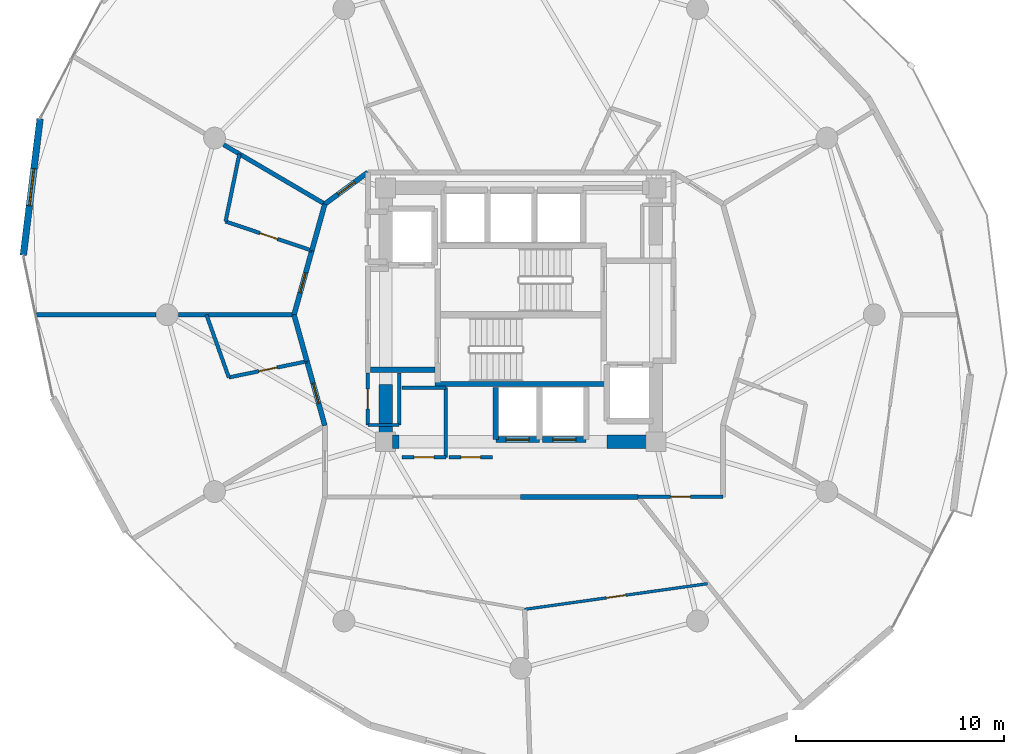
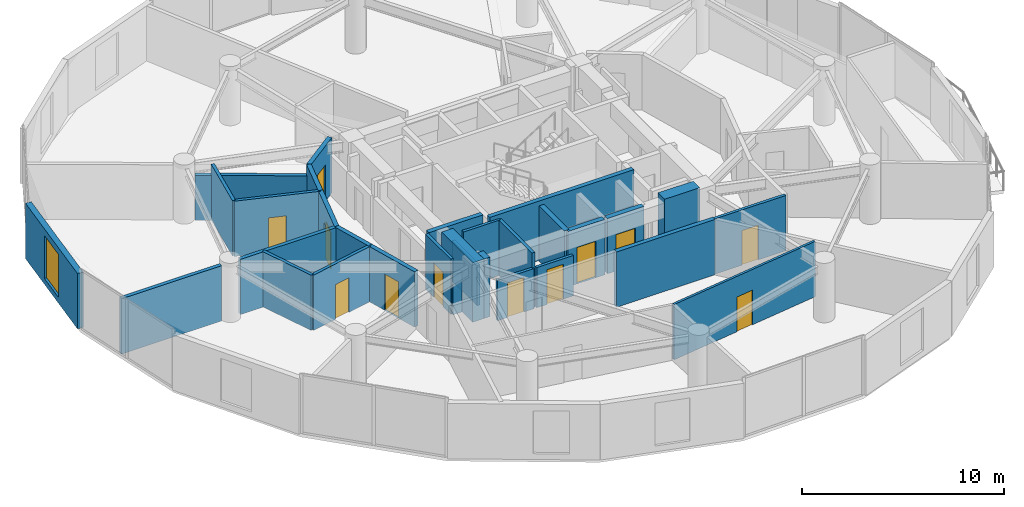
# One storey, part 20 of 25: 31 walls, 12 doors, 1 window, 13 openings.
"""IFC4 building model written with IfcOpenShell, lengths in metres."""

from ifc_helpers import new_model, si_unit, direction, frame, frame_2d, origin, place, context, subcontext, project, spatial, rectangle, extrude, material, layer, layer_set, type_object, element, fill, save


model = new_model("IFC4")

# Units and contexts
model_context = context("Model", 3, precision=1e-05, world=origin(), true_north=direction((0.0, 1.0)))
body_context = subcontext(model_context, "Body", "Model", "MODEL_VIEW")
ifc_project = project(units=[si_unit("LENGTHUNIT", "METRE"), si_unit("AREAUNIT", "SQUARE_METRE"), si_unit("VOLUMEUNIT", "CUBIC_METRE"), si_unit("PLANEANGLEUNIT", "RADIAN"), si_unit("MASSUNIT", "GRAM", prefix="KILO")], contexts=[model_context])

# Site, building, storey
site_placement = place(None, origin())
site = spatial("IfcSite", under=ifc_project, at=site_placement, CompositionType="ELEMENT")
building_placement = place(site_placement, origin())
building = spatial("IfcBuilding", under=site, at=building_placement, Name="Solvirekh Grand Hotel", CompositionType="ELEMENT")
storey_placement = place(building_placement, frame((0.0, 0.0, 127.800048828125)))
storey = spatial("IfcBuildingStorey", under=building, at=storey_placement, Name="L32", CompositionType="ELEMENT", Elevation=127.800048828125)

# Wall
ifc_material_1 = material(Name="Concrete C50/60", Category="concrete")
ifc_layer_1 = layer(ifc_material_1, 0.35009765625)
ifc_layer_set_1 = layer_set([ifc_layer_1], Name="Concrete C50/60")
wall_type_1 = type_object("IfcWallType", Name="CoreDivWall_RC350", PredefinedType="SOLIDWALL", material=ifc_layer_set_1)
wall_1_placement = place(storey_placement, frame((-4.1298828125, -3.324951171875, 0.0), z_axis=(0.0, 0.0, 1.0), x_axis=(1.0, 0.0, 0.0)))
element("IfcWall", 1, at=wall_1_placement, inside=storey, type_object=wall_type_1, Name="L32 core stair box wall ST-S", PredefinedType="SOLIDWALL", context=body_context, shape_type="SweptSolid", body=[
    extrude(rectangle(XDim=8.259765625, YDim=0.25, at=frame_2d((4.1298828125, 0.0))), origin(), (0.0, 0.0, 1.0), 3.599853515625),
])

# Wall, opening, door
ifc_material_2 = material(Name="Concrete C40/50", Category="concrete")
ifc_layer_2 = layer(ifc_material_2, 0.280029296875)
ifc_layer_set_2 = layer_set([ifc_layer_2], Name="Concrete C40/50")
wall_type_2 = type_object("IfcWallType", Name="CoreShaftWall_RC280", PredefinedType="SOLIDWALL", material=ifc_layer_set_2)
wall_2_placement = place(storey_placement, frame((-1.199951171875, -6.0, 0.0), z_axis=(0.0, 0.0, 1.0), x_axis=(1.0, 0.0, 0.0)))
wall_2 = element("IfcWall", 2, at=wall_2_placement, inside=storey, type_object=wall_type_2, Name="L32 MP-1 hoistway S wall", PredefinedType="SOLIDWALL", context=body_context, shape_type="SweptSolid", body=[
    extrude(rectangle(XDim=2.099853515625, YDim=0.280029296875, at=frame_2d((1.0498046875, 0.0))), origin(), (0.0, 0.0, 1.0), 3.349853515625),
])
opening_1_placement = place(wall_2_placement, frame((0.5, 0.0, 0.0)))
opening_1 = element("IfcOpeningElement", 3, at=opening_1_placement, cuts=wall_2, Name="Opening LD01", PredefinedType="OPENING", context=body_context, shape_type="SweptSolid", body=[
    extrude(rectangle(XDim=1.10009765625, YDim=2.199951171875, at=frame_2d((0.550048828125, 1.10009765625))), frame((0.0, 0.14990234375, 0.0), z_axis=(0.0, -1.0, 0.0), x_axis=(1.0, 0.0, 0.0)), (0.0, 0.0, 1.0), 0.300048828125),
])
ifc_material_3 = material(Name="Fire-Rated Steel Door Assembly", Category="steel")
door_type_1 = type_object("IfcDoorType", Name="Door_LiftLanding_1100X2200", OperationType="SLIDING_TO_LEFT", PredefinedType="DOOR", material=ifc_material_3)
door_1_placement = place(opening_1_placement, origin())
door_1 = element("IfcDoor", 4, at=door_1_placement, inside=storey, type_object=door_type_1, Name="L32 MP-1 sliding lift landing door", OperationType="SLIDING_TO_LEFT", OverallHeight=2.199951171875, OverallWidth=1.10009765625, PredefinedType="DOOR", context=body_context, shape_type="SweptSolid", body=[
    extrude(rectangle(XDim=1.10009765625, YDim=2.199951171875, at=frame_2d((0.550048828125, 1.10009765625))), frame((0.0, 0.02490234375, 0.0), z_axis=(0.0, -1.0, 0.0), x_axis=(1.0, 0.0, 0.0)), (0.0, 0.0, 1.0), 0.050048828125),
])
fill(opening_1, door_1)

# Wall
wall_3_placement = place(storey_placement, frame((-1.199951171875, -3.5, 0.0), z_axis=(0.0, 0.0, 1.0), x_axis=(0.0, -1.0, 0.0)))
element("IfcWall", 5, at=wall_3_placement, inside=storey, type_object=wall_type_2, Name="L32 MP-1 hoistway W wall", PredefinedType="SOLIDWALL", context=body_context, shape_type="SweptSolid", body=[
    extrude(rectangle(XDim=2.5, YDim=0.280029296875, at=frame_2d((1.25, 0.0))), origin(), (0.0, 0.0, 1.0), 3.349853515625),
])

# Wall, opening, door
wall_4_placement = place(storey_placement, frame((1.050048828125, -6.0, 0.0), z_axis=(0.0, 0.0, 1.0), x_axis=(1.0, 0.0, 0.0)))
wall_4 = element("IfcWall", 6, at=wall_4_placement, inside=storey, type_object=wall_type_2, Name="L32 MP-2 hoistway S wall", PredefinedType="SOLIDWALL", context=body_context, shape_type="SweptSolid", body=[
    extrude(rectangle(XDim=2.099853515625, YDim=0.280029296875, at=frame_2d((1.0498046875, 0.0))), origin(), (0.0, 0.0, 1.0), 3.349853515625),
])
opening_2_placement = place(wall_4_placement, frame((0.5, 0.0, 0.0)))
opening_2 = element("IfcOpeningElement", 7, at=opening_2_placement, cuts=wall_4, Name="Opening LD01", PredefinedType="OPENING", context=body_context, shape_type="SweptSolid", body=[
    extrude(rectangle(XDim=1.10009765625, YDim=2.199951171875, at=frame_2d((0.550048828125, 1.10009765625))), frame((0.0, 0.14990234375, 0.0), z_axis=(0.0, -1.0, 0.0), x_axis=(1.0, 0.0, 0.0)), (0.0, 0.0, 1.0), 0.300048828125),
])
door_2_placement = place(opening_2_placement, origin())
door_2 = element("IfcDoor", 8, at=door_2_placement, inside=storey, type_object=door_type_1, Name="L32 MP-2 sliding lift landing door", OperationType="SLIDING_TO_LEFT", OverallHeight=2.199951171875, OverallWidth=1.10009765625, PredefinedType="DOOR", context=body_context, shape_type="SweptSolid", body=[
    extrude(rectangle(XDim=1.10009765625, YDim=2.199951171875, at=frame_2d((0.550048828125, 1.10009765625))), frame((0.0, 0.02490234375, 0.0), z_axis=(0.0, -1.0, 0.0), x_axis=(1.0, 0.0, 0.0)), (0.0, 0.0, 1.0), 0.050048828125),
])
fill(opening_2, door_2)

# Walls
ifc_layer_3 = layer(ifc_material_1, 0.64990234375)
ifc_layer_set_3 = layer_set([ifc_layer_3], Name="Concrete C50/60")
wall_type_3 = type_object("IfcWallType", Name="CoreWall_RC650", PredefinedType="SHEAR", material=ifc_layer_set_3)
wall_5_placement = place(storey_placement, frame((-6.175048828125, -6.10009765625, 0.0), z_axis=(0.0, 0.0, 1.0), x_axis=(1.0, 0.0, 0.0)))
element("IfcWall", 9, at=wall_5_placement, inside=storey, type_object=wall_type_3, Name="L32 core corner shear wall SW-S", PredefinedType="SHEAR", context=body_context, shape_type="SweptSolid", body=[
    extrude(rectangle(XDim=0.324951171875, YDim=0.64990234375, at=frame_2d((0.16259765625, 0.0))), origin(), (0.0, 0.0, 1.0), 3.599853515625),
])
wall_6_placement = place(storey_placement, frame((4.14990234375, -6.10009765625, 0.0), z_axis=(0.0, 0.0, 1.0), x_axis=(1.0, 0.0, 0.0)))
element("IfcWall", 10, at=wall_6_placement, inside=storey, type_object=wall_type_3, Name="L32 core corner shear wall SE-S", PredefinedType="SHEAR", context=body_context, shape_type="SweptSolid", body=[
    extrude(rectangle(XDim=2.025146484375, YDim=0.64990234375, at=frame_2d((1.0126953125, 0.0))), origin(), (0.0, 0.0, 1.0), 3.599853515625),
])
wall_7_placement = place(storey_placement, frame((-6.5, -6.425048828125, 0.0), z_axis=(0.0, 0.0, 1.0), x_axis=(0.0, 1.0, 0.0)))
element("IfcWall", 11, at=wall_7_placement, inside=storey, type_object=wall_type_3, Name="L32 core corner shear wall WS-W", PredefinedType="SHEAR", context=body_context, shape_type="SweptSolid", body=[
    extrude(rectangle(XDim=3.074951171875, YDim=0.64990234375, at=frame_2d((1.53759765625, 0.0))), origin(), (0.0, 0.0, 1.0), 3.599853515625),
])

# Wall, opening, window
ifc_material_4 = material(Name="Precast concrete C45/55", Category="concrete")
ifc_layer_4 = layer(ifc_material_4, 0.320068359375)
ifc_layer_set_4 = layer_set([ifc_layer_4], Name="Precast concrete C45/55")
wall_type_4 = type_object("IfcWallType", Name="ExtLobbyWall_RC320", PredefinedType="SOLIDWALL", material=ifc_layer_set_4)
wall_8_placement = place(storey_placement, frame((-23.91796875, 2.85791015625, 0.0), z_axis=(0.0, 0.0, 1.0), x_axis=(0.122003589953, 0.992529659022, 0.0)))
wall_8 = element("IfcWall", 12, at=wall_8_placement, inside=storey, type_object=wall_type_4, Name="L32 exterior structural wall chord 12", PredefinedType="SOLIDWALL", context=body_context, shape_type="SweptSolid", body=[
    extrude(rectangle(XDim=6.613525390625, YDim=0.320068359375, at=frame_2d((3.306640625, 0.0))), origin(), (0.0, 0.0, 1.0), 3.349853515625),
])
opening_3_placement = place(wall_8_placement, frame((2.406982421875, 0.0, 0.35009765625)))
opening_3 = element("IfcOpeningElement", 13, at=opening_3_placement, cuts=wall_8, Name="Opening W02", PredefinedType="OPENING", context=body_context, shape_type="SweptSolid", body=[
    extrude(rectangle(XDim=1.800048828125, YDim=2.60009765625, at=frame_2d((0.89990234375, 1.300048828125))), frame((0.0, 0.169921875, 0.0), z_axis=(0.0, -1.0, 0.0), x_axis=(1.0, 0.0, 0.0)), (0.0, 0.0, 1.0), 0.340087890625),
])
ifc_material_5 = material(Name="Low-E Tinted Bronze Laminated Glass", Category="aluminium")
window_type = type_object("IfcWindowType", Name="Win_LobbyExt_1800X2600", PartitioningType="SINGLE_PANEL", PredefinedType="WINDOW", material=ifc_material_5)
window_placement = place(opening_3_placement, origin())
window = element("IfcWindow", 14, at=window_placement, inside=storey, type_object=window_type, Name="L32 panoramic bronze-framed window 12", OverallHeight=2.60009765625, OverallWidth=1.800048828125, PartitioningType="SINGLE_PANEL", PredefinedType="WINDOW", context=body_context, shape_type="SweptSolid", body=[
    extrude(rectangle(XDim=1.800048828125, YDim=2.60009765625, at=frame_2d((0.89990234375, 1.300048828125))), frame((0.0, 0.030029296875, 0.0), z_axis=(0.0, -1.0, 0.0), x_axis=(1.0, 0.0, 0.0)), (0.0, 0.0, 1.0), 0.06005859375),
])
fill(opening_3, window)

# Walls
ifc_material_6 = material(Name="Acoustic Gypsum Partition Assembly")
ifc_layer_5 = layer(ifc_material_6, 0.1650390625)
ifc_layer_set_5 = layer_set([ifc_layer_5], Name="Acoustic Gypsum Partition Assembly")
wall_type_5 = type_object("IfcWallType", Name="Part_BOH_165", PredefinedType="PARTITIONING", material=ifc_layer_set_5)
wall_9_placement = place(storey_placement, frame((-7.35009765625, -5.300048828125, 0.0), z_axis=(0.0, 0.0, 1.0), x_axis=(1.0, 0.0, 0.0)))
element("IfcWall", 15, at=wall_9_placement, inside=storey, type_object=wall_type_5, Name="L32 L32 Core Linen Store wall 1", PredefinedType="PARTITIONING", context=body_context, shape_type="SweptSolid", body=[
    extrude(rectangle(XDim=1.5, YDim=0.1650390625, at=frame_2d((0.75, 0.0))), origin(), (0.0, 0.0, 1.0), 2.43505859375),
])
wall_10_placement = place(storey_placement, frame((-5.85009765625, -5.300048828125, 0.0), z_axis=(0.0, 0.0, 1.0), x_axis=(0.0, 1.0, 0.0)))
element("IfcWall", 16, at=wall_10_placement, inside=storey, type_object=wall_type_5, Name="L32 L32 Core Linen Store wall 2", PredefinedType="PARTITIONING", context=body_context, shape_type="SweptSolid", body=[
    extrude(rectangle(XDim=2.5, YDim=0.1650390625, at=frame_2d((1.25, 0.0))), origin(), (0.0, 0.0, 1.0), 2.43505859375),
])

# Wall, opening, door
wall_11_placement = place(storey_placement, frame((-7.35009765625, -2.800048828125, 0.0), z_axis=(0.0, 0.0, 1.0), x_axis=(0.0, -1.0, 0.0)))
wall_11 = element("IfcWall", 17, at=wall_11_placement, inside=storey, type_object=wall_type_5, Name="L32 L32 Core Linen Store wall 4", PredefinedType="PARTITIONING", context=body_context, shape_type="SweptSolid", body=[
    extrude(rectangle(XDim=2.5, YDim=0.1650390625, at=frame_2d((1.25, 0.0))), origin(), (0.0, 0.0, 1.0), 3.349853515625),
])
opening_4_placement = place(wall_11_placement, frame((0.77490234375, 0.0, 0.0)))
opening_4 = element("IfcOpeningElement", 18, at=opening_4_placement, cuts=wall_11, Name="Opening D10", PredefinedType="OPENING", context=body_context, shape_type="SweptSolid", body=[
    extrude(rectangle(XDim=0.949951171875, YDim=2.10009765625, at=frame_2d((0.47509765625, 1.050048828125))), frame((0.0, 0.092529296875, 0.0), z_axis=(0.0, -1.0, 0.0), x_axis=(1.0, 0.0, 0.0)), (0.0, 0.0, 1.0), 0.18505859375),
])
ifc_material_7 = material(Name="Anodized Bronze Aluminium 6063-T6", Category="aluminium")
door_type_2 = type_object("IfcDoorType", Name="Door_RoomInt_950X2100", OperationType="NOTDEFINED", PredefinedType="DOOR", material=ifc_material_7)
door_3_placement = place(opening_4_placement, origin())
door_3 = element("IfcDoor", 19, at=door_3_placement, inside=storey, type_object=door_type_2, Name="L32 L32 Core Linen Store door", OperationType="SINGLE_SWING_LEFT", OverallHeight=2.10009765625, OverallWidth=0.949951171875, PredefinedType="DOOR", context=body_context, shape_type="SweptSolid", body=[
    extrude(rectangle(XDim=0.949951171875, YDim=2.10009765625, at=frame_2d((0.47509765625, 1.050048828125))), frame((0.0, 0.02490234375, 0.0), z_axis=(0.0, -1.0, 0.0), x_axis=(1.0, 0.0, 0.0)), (0.0, 0.0, 1.0), 0.050048828125),
])
fill(opening_4, door_3)

wall_12_placement = place(storey_placement, frame((-5.699951171875, -6.85009765625, 0.0), z_axis=(0.0, 0.0, 1.0), x_axis=(1.0, 0.0, 0.0)))
wall_12 = element("IfcWall", 20, at=wall_12_placement, inside=storey, type_object=wall_type_5, Name="L32 Mid-Zone Housekeeping Store wall 1", PredefinedType="PARTITIONING", context=body_context, shape_type="SweptSolid", body=[
    extrude(rectangle(XDim=2.099853515625, YDim=0.1650390625, at=frame_2d((1.0498046875, 0.0))), origin(), (0.0, 0.0, 1.0), 2.43505859375),
])
opening_5_placement = place(wall_12_placement, frame((0.574951171875, 0.0, 0.0)))
opening_5 = element("IfcOpeningElement", 21, at=opening_5_placement, cuts=wall_12, Name="Opening D10", PredefinedType="OPENING", context=body_context, shape_type="SweptSolid", body=[
    extrude(rectangle(XDim=0.949951171875, YDim=2.10009765625, at=frame_2d((0.47509765625, 1.050048828125))), frame((0.0, 0.092529296875, 0.0), z_axis=(0.0, -1.0, 0.0), x_axis=(1.0, 0.0, 0.0)), (0.0, 0.0, 1.0), 0.18505859375),
])
door_4_placement = place(opening_5_placement, origin())
door_4 = element("IfcDoor", 22, at=door_4_placement, inside=storey, type_object=door_type_2, Name="L32 Mid-Zone Housekeeping Store door", OperationType="SINGLE_SWING_LEFT", OverallHeight=2.10009765625, OverallWidth=0.949951171875, PredefinedType="DOOR", context=body_context, shape_type="SweptSolid", body=[
    extrude(rectangle(XDim=0.949951171875, YDim=2.10009765625, at=frame_2d((0.47509765625, 1.050048828125))), frame((0.0, 0.02490234375, 0.0), z_axis=(0.0, -1.0, 0.0), x_axis=(1.0, 0.0, 0.0)), (0.0, 0.0, 1.0), 0.050048828125),
])
fill(opening_5, door_4)

# Walls
wall_13_placement = place(storey_placement, frame((-3.60009765625, -6.85009765625, 0.0), z_axis=(0.0, 0.0, 1.0), x_axis=(0.0, 1.0, 0.0)))
element("IfcWall", 23, at=wall_13_placement, inside=storey, type_object=wall_type_5, Name="L32 Mid-Zone Housekeeping Store wall 2", PredefinedType="PARTITIONING", context=body_context, shape_type="SweptSolid", body=[
    extrude(rectangle(XDim=3.35009765625, YDim=0.1650390625, at=frame_2d((1.675048828125, 0.0))), origin(), (0.0, 0.0, 1.0), 3.349853515625),
])
wall_14_placement = place(storey_placement, frame((-3.60009765625, -3.5, 0.0), z_axis=(0.0, 0.0, 1.0), x_axis=(-1.0, 0.0, 0.0)))
element("IfcWall", 24, at=wall_14_placement, inside=storey, type_object=wall_type_5, Name="L32 Mid-Zone Housekeeping Store wall 3", PredefinedType="PARTITIONING", context=body_context, shape_type="SweptSolid", body=[
    extrude(rectangle(XDim=2.099853515625, YDim=0.1650390625, at=frame_2d((1.0498046875, 0.0))), origin(), (0.0, 0.0, 1.0), 3.349853515625),
])

# Wall, opening, door
wall_15_placement = place(storey_placement, frame((-3.449951171875, -6.85009765625, 0.0), z_axis=(0.0, 0.0, 1.0), x_axis=(1.0, 0.0, 0.0)))
wall_15 = element("IfcWall", 25, at=wall_15_placement, inside=storey, type_object=wall_type_5, Name="L32 Mid-Zone Linen Closet wall 1", PredefinedType="PARTITIONING", context=body_context, shape_type="SweptSolid", body=[
    extrude(rectangle(XDim=2.099853515625, YDim=0.1650390625, at=frame_2d((1.0498046875, 0.0))), origin(), (0.0, 0.0, 1.0), 2.43505859375),
])
opening_6_placement = place(wall_15_placement, frame((0.574951171875, 0.0, 0.0)))
opening_6 = element("IfcOpeningElement", 26, at=opening_6_placement, cuts=wall_15, Name="Opening D10", PredefinedType="OPENING", context=body_context, shape_type="SweptSolid", body=[
    extrude(rectangle(XDim=0.949951171875, YDim=2.10009765625, at=frame_2d((0.47509765625, 1.050048828125))), frame((0.0, 0.092529296875, 0.0), z_axis=(0.0, -1.0, 0.0), x_axis=(1.0, 0.0, 0.0)), (0.0, 0.0, 1.0), 0.18505859375),
])
door_5_placement = place(opening_6_placement, origin())
door_5 = element("IfcDoor", 27, at=door_5_placement, inside=storey, type_object=door_type_2, Name="L32 Mid-Zone Linen Closet door", OperationType="SINGLE_SWING_RIGHT", OverallHeight=2.10009765625, OverallWidth=0.949951171875, PredefinedType="DOOR", context=body_context, shape_type="SweptSolid", body=[
    extrude(rectangle(XDim=0.949951171875, YDim=2.10009765625, at=frame_2d((0.47509765625, 1.050048828125))), frame((0.0, 0.02490234375, 0.0), z_axis=(0.0, -1.0, 0.0), x_axis=(1.0, 0.0, 0.0)), (0.0, 0.0, 1.0), 0.050048828125),
])
fill(opening_6, door_5)

wall_16_placement = place(storey_placement, frame((5.637939453125, -8.75, 0.0), z_axis=(0.0, 0.0, 1.0), x_axis=(1.0, 0.0, 0.0)))
wall_16 = element("IfcWall", 28, at=wall_16_placement, inside=storey, type_object=wall_type_5, Name="L32 L32 Butler Valet & Linen Steward Room entrance wall", PredefinedType="PARTITIONING", context=body_context, shape_type="SweptSolid", body=[
    extrude(rectangle(XDim=4.08203125, YDim=0.1650390625, at=frame_2d((2.041015625, 0.0))), origin(), (0.0, 0.0, 1.0), 3.349853515625),
])
opening_7_placement = place(wall_16_placement, frame((1.56591796875, 0.0, 0.0)))
opening_7 = element("IfcOpeningElement", 29, at=opening_7_placement, cuts=wall_16, Name="Opening D10", PredefinedType="OPENING", context=body_context, shape_type="SweptSolid", body=[
    extrude(rectangle(XDim=0.949951171875, YDim=2.10009765625, at=frame_2d((0.47509765625, 1.050048828125))), frame((0.0, 0.092529296875, 0.0), z_axis=(0.0, -1.0, 0.0), x_axis=(1.0, 0.0, 0.0)), (0.0, 0.0, 1.0), 0.18505859375),
])
door_6_placement = place(opening_7_placement, origin())
door_6 = element("IfcDoor", 30, at=door_6_placement, inside=storey, type_object=door_type_2, Name="L32 L32 Butler Valet & Linen Steward Room entrance door", OperationType="SINGLE_SWING_RIGHT", OverallHeight=2.10009765625, OverallWidth=0.949951171875, PredefinedType="DOOR", context=body_context, shape_type="SweptSolid", body=[
    extrude(rectangle(XDim=0.949951171875, YDim=2.10009765625, at=frame_2d((0.47509765625, 1.050048828125))), frame((0.0, 0.02490234375, 0.0), z_axis=(0.0, -1.0, 0.0), x_axis=(1.0, 0.0, 0.0)), (0.0, 0.0, 1.0), 0.050048828125),
])
fill(opening_7, door_6)

ifc_layer_6 = layer(ifc_material_6, 0.239990234375)
ifc_layer_set_6 = layer_set([ifc_layer_6], Name="Acoustic Gypsum Partition Assembly")
wall_type_6 = type_object("IfcWallType", Name="Part_Corridor_240", PredefinedType="PARTITIONING", material=ifc_layer_set_6)
wall_17_placement = place(storey_placement, frame((-9.419921875, 5.324951171875, 0.0), z_axis=(0.0, 0.0, 1.0), x_axis=(0.805053450612, 0.593202277185, 0.0)))
wall_17 = element("IfcWall", 31, at=wall_17_placement, inside=storey, type_object=wall_type_6, Name="L32 Deluxe Guestroom 3402 entrance wall", PredefinedType="PARTITIONING", context=body_context, shape_type="SweptSolid", body=[
    extrude(rectangle(XDim=2.571044921875, YDim=0.239990234375, at=frame_2d((1.28564453125, 0.0))), origin(), (0.0, 0.0, 1.0), 3.349853515625),
])
opening_8_placement = place(wall_17_placement, frame((0.785888671875, 0.0, 0.0)))
opening_8 = element("IfcOpeningElement", 32, at=opening_8_placement, cuts=wall_17, Name="Opening D07", PredefinedType="OPENING", context=body_context, shape_type="SweptSolid", body=[
    extrude(rectangle(XDim=1.0, YDim=2.199951171875, at=frame_2d((0.5, 1.10009765625))), frame((0.0, 0.1298828125, 0.0), z_axis=(0.0, -1.0, 0.0), x_axis=(1.0, 0.0, 0.0)), (0.0, 0.0, 1.0), 0.260009765625),
])
door_type_3 = type_object("IfcDoorType", Name="Door_GuestEntry_1000X2200", OperationType="NOTDEFINED", PredefinedType="DOOR", material=ifc_material_3)
door_7_placement = place(opening_8_placement, origin())
door_7 = element("IfcDoor", 33, at=door_7_placement, inside=storey, type_object=door_type_3, Name="L32 Deluxe Guestroom 3402 entrance door", OperationType="SINGLE_SWING_LEFT", OverallHeight=2.199951171875, OverallWidth=1.0, PredefinedType="DOOR", context=body_context, shape_type="SweptSolid", body=[
    extrude(rectangle(XDim=1.0, YDim=2.199951171875, at=frame_2d((0.5, 1.10009765625))), frame((0.0, 0.02490234375, 0.0), z_axis=(0.0, -1.0, 0.0), x_axis=(1.0, 0.0, 0.0)), (0.0, 0.0, 1.0), 0.050048828125),
])
fill(opening_8, door_7)

# Wall
wall_18_placement = place(storey_placement, frame((-9.419921875, 5.324951171875, 0.0), z_axis=(0.0, 0.0, 1.0), x_axis=(-0.268045342481, -0.963406297662, 0.0)))
element("IfcWall", 34, at=wall_18_placement, inside=storey, type_object=wall_type_6, Name="L32 En-suite Bathroom 3403 corridor backing wall", PredefinedType="PARTITIONING", context=body_context, shape_type="SweptSolid", body=[
    extrude(rectangle(XDim=2.32080078125, YDim=0.239990234375, at=frame_2d((1.160400390625, 0.0))), origin(), (0.0, 0.0, 1.0), 3.349853515625),
])

# Wall, opening, door
wall_19_placement = place(storey_placement, frame((-10.0419921875, 3.089111328125, 0.0), z_axis=(0.0, 0.0, 1.0), x_axis=(-0.267592805492, -0.963532091032, 0.0)))
wall_19 = element("IfcWall", 35, at=wall_19_placement, inside=storey, type_object=wall_type_6, Name="L32 Deluxe Guestroom 3403 entrance wall", PredefinedType="PARTITIONING", context=body_context, shape_type="SweptSolid", body=[
    extrude(rectangle(XDim=3.2060546875, YDim=0.239990234375, at=frame_2d((1.60302734375, 0.0))), origin(), (0.0, 0.0, 1.0), 3.349853515625),
])
opening_9_placement = place(wall_19_placement, frame((1.10302734375, 0.0, 0.0)))
opening_9 = element("IfcOpeningElement", 36, at=opening_9_placement, cuts=wall_19, Name="Opening D07", PredefinedType="OPENING", context=body_context, shape_type="SweptSolid", body=[
    extrude(rectangle(XDim=1.0, YDim=2.199951171875, at=frame_2d((0.5, 1.10009765625))), frame((0.0, 0.1298828125, 0.0), z_axis=(0.0, -1.0, 0.0), x_axis=(1.0, 0.0, 0.0)), (0.0, 0.0, 1.0), 0.260009765625),
])
door_8_placement = place(opening_9_placement, origin())
door_8 = element("IfcDoor", 37, at=door_8_placement, inside=storey, type_object=door_type_3, Name="L32 Deluxe Guestroom 3403 entrance door", OperationType="SINGLE_SWING_LEFT", OverallHeight=2.199951171875, OverallWidth=1.0, PredefinedType="DOOR", context=body_context, shape_type="SweptSolid", body=[
    extrude(rectangle(XDim=1.0, YDim=2.199951171875, at=frame_2d((0.5, 1.10009765625))), frame((0.0, 0.02490234375, 0.0), z_axis=(0.0, -1.0, 0.0), x_axis=(1.0, 0.0, 0.0)), (0.0, 0.0, 1.0), 0.050048828125),
])
fill(opening_9, door_8)

# Wall
wall_20_placement = place(storey_placement, frame((-10.89990234375, 0.0, 0.0), z_axis=(0.0, 0.0, 1.0), x_axis=(0.267920543299, -0.963441011416, 0.0)))
element("IfcWall", 38, at=wall_20_placement, inside=storey, type_object=wall_type_6, Name="L32 En-suite Bathroom 3404 corridor backing wall", PredefinedType="PARTITIONING", context=body_context, shape_type="SweptSolid", body=[
    extrude(rectangle(XDim=2.321044921875, YDim=0.239990234375, at=frame_2d((1.16064453125, 0.0))), origin(), (0.0, 0.0, 1.0), 3.349853515625),
])

# Wall, opening, door
wall_21_placement = place(storey_placement, frame((-10.278076171875, -2.236083984375, 0.0), z_axis=(0.0, 0.0, 1.0), x_axis=(0.267683140967, -0.96350699844, 0.0)))
wall_21 = element("IfcWall", 39, at=wall_21_placement, inside=storey, type_object=wall_type_6, Name="L32 Deluxe Guestroom 3404 entrance wall", PredefinedType="PARTITIONING", context=body_context, shape_type="SweptSolid", body=[
    extrude(rectangle(XDim=3.205810546875, YDim=0.239990234375, at=frame_2d((1.60302734375, 0.0))), origin(), (0.0, 0.0, 1.0), 3.349853515625),
])
opening_10_placement = place(wall_21_placement, frame((1.10302734375, 0.0, 0.0)))
opening_10 = element("IfcOpeningElement", 40, at=opening_10_placement, cuts=wall_21, Name="Opening D07", PredefinedType="OPENING", context=body_context, shape_type="SweptSolid", body=[
    extrude(rectangle(XDim=1.0, YDim=2.199951171875, at=frame_2d((0.5, 1.10009765625))), frame((0.0, 0.1298828125, 0.0), z_axis=(0.0, -1.0, 0.0), x_axis=(1.0, 0.0, 0.0)), (0.0, 0.0, 1.0), 0.260009765625),
])
door_9_placement = place(opening_10_placement, origin())
door_9 = element("IfcDoor", 41, at=door_9_placement, inside=storey, type_object=door_type_3, Name="L32 Deluxe Guestroom 3404 entrance door", OperationType="SINGLE_SWING_LEFT", OverallHeight=2.199951171875, OverallWidth=1.0, PredefinedType="DOOR", context=body_context, shape_type="SweptSolid", body=[
    extrude(rectangle(XDim=1.0, YDim=2.199951171875, at=frame_2d((0.5, 1.10009765625))), frame((0.0, 0.02490234375, 0.0), z_axis=(0.0, -1.0, 0.0), x_axis=(1.0, 0.0, 0.0)), (0.0, 0.0, 1.0), 0.050048828125),
])
fill(opening_10, door_9)

# Walls
wall_22_placement = place(storey_placement, frame((0.0, -8.75, 0.0), z_axis=(0.0, 0.0, 1.0), x_axis=(1.0, 0.0, 0.0)))
element("IfcWall", 42, at=wall_22_placement, inside=storey, type_object=wall_type_6, Name="L32 L32 Private Media Lounge corridor wall 1", PredefinedType="PARTITIONING", context=body_context, shape_type="SweptSolid", body=[
    extrude(rectangle(XDim=5.637939453125, YDim=0.239990234375, at=frame_2d((2.81884765625, 0.0))), origin(), (0.0, 0.0, 1.0), 3.349853515625),
])
ifc_layer_7 = layer(ifc_material_6, 0.260009765625)
ifc_layer_set_7 = layer_set([ifc_layer_7], Name="Acoustic Gypsum Partition Assembly")
wall_type_7 = type_object("IfcWallType", Name="Part_LobbyFF_260", PredefinedType="PARTITIONING", material=ifc_layer_set_7)
wall_23_placement = place(storey_placement, frame((-7.22509765625, -2.64990234375, 0.0), z_axis=(0.0, 0.0, 1.0), x_axis=(1.0, 0.0, 0.0)))
element("IfcWall", 43, at=wall_23_placement, inside=storey, type_object=wall_type_7, Name="L32 west firefighting lobby south partition", PredefinedType="PARTITIONING", context=body_context, shape_type="SweptSolid", body=[
    extrude(rectangle(XDim=3.09521484375, YDim=0.260009765625, at=frame_2d((1.547607421875, 0.0))), origin(), (0.0, 0.0, 1.0), 3.349853515625),
])

# Wall, opening, door
ifc_layer_8 = layer(ifc_material_6, 0.135009765625)
ifc_layer_set_8 = layer_set([ifc_layer_8], Name="Acoustic Gypsum Partition Assembly")
wall_type_8 = type_object("IfcWallType", Name="Part_RoomInt_135", PredefinedType="PARTITIONING", material=ifc_layer_set_8)
wall_24_placement = place(storey_placement, frame((0.18994140625, -14.1630859375, 0.0), z_axis=(0.0, 0.0, 1.0), x_axis=(0.990295903808, 0.138974900259, 0.0)))
wall_24 = element("IfcWall", 44, at=wall_24_placement, inside=storey, type_object=wall_type_8, Name="L32 L32 Riverfront Tea Belvedere bedroom screen wall", PredefinedType="PARTITIONING", context=body_context, shape_type="SweptSolid", body=[
    extrude(rectangle(XDim=8.873291015625, YDim=0.135009765625, at=frame_2d((4.4365234375, 0.0))), origin(), (0.0, 0.0, 1.0), 3.349853515625),
])
opening_11_placement = place(wall_24_placement, frame((3.9619140625, 0.0, 0.0)))
opening_11 = element("IfcOpeningElement", 45, at=opening_11_placement, cuts=wall_24, Name="Opening D10", PredefinedType="OPENING", context=body_context, shape_type="SweptSolid", body=[
    extrude(rectangle(XDim=0.949951171875, YDim=2.10009765625, at=frame_2d((0.47509765625, 1.050048828125))), frame((0.0, 0.07763671875, 0.0), z_axis=(0.0, -1.0, 0.0), x_axis=(1.0, 0.0, 0.0)), (0.0, 0.0, 1.0), 0.155029296875),
])
door_10_placement = place(opening_11_placement, origin())
door_10 = element("IfcDoor", 46, at=door_10_placement, inside=storey, type_object=door_type_2, Name="L32 L32 Riverfront Tea Belvedere master bedroom door", OperationType="SINGLE_SWING_LEFT", OverallHeight=2.10009765625, OverallWidth=0.949951171875, PredefinedType="DOOR", context=body_context, shape_type="SweptSolid", body=[
    extrude(rectangle(XDim=0.949951171875, YDim=2.10009765625, at=frame_2d((0.47509765625, 1.050048828125))), frame((0.0, 0.02490234375, 0.0), z_axis=(0.0, -1.0, 0.0), x_axis=(1.0, 0.0, 0.0)), (0.0, 0.0, 1.0), 0.050048828125),
])
fill(opening_11, door_10)

# Walls
ifc_layer_9 = layer(ifc_material_6, 0.2099609375)
ifc_layer_set_9 = layer_set([ifc_layer_9], Name="Acoustic Gypsum Partition Assembly")
wall_type_9 = type_object("IfcWallType", Name="Part_SuiteDemise_210", PredefinedType="PARTITIONING", material=ifc_layer_set_9)
wall_25_placement = place(storey_placement, frame((-9.419921875, 5.324951171875, 0.0), z_axis=(0.0, 0.0, 1.0), x_axis=(-0.862477017481, 0.506096230293, 0.0)))
element("IfcWall", 47, at=wall_25_placement, inside=storey, type_object=wall_type_9, Name="L32 suite radial wall 6 (A)", PredefinedType="PARTITIONING", context=body_context, shape_type="SweptSolid", body=[
    extrude(rectangle(XDim=5.63720703125, YDim=0.2099609375, at=frame_2d((2.818603515625, 0.0))), origin(), (0.0, 0.0, 1.0), 2.717041015625),
])
wall_26_placement = place(storey_placement, frame((-10.89990234375, 0.0, 0.0), z_axis=(0.0, 0.0, 1.0), x_axis=(-1.0, 0.0, 0.0)))
element("IfcWall", 48, at=wall_26_placement, inside=storey, type_object=wall_type_9, Name="L32 suite radial wall 7 (A)", PredefinedType="PARTITIONING", context=body_context, shape_type="SweptSolid", body=[
    extrude(rectangle(XDim=5.55517578125, YDim=0.2099609375, at=frame_2d((2.777587890625, 0.0))), origin(), (0.0, 0.0, 1.0), 3.349853515625),
])
wall_27_placement = place(storey_placement, frame((-17.544921875, 0.0, 0.0), z_axis=(0.0, 0.0, 1.0), x_axis=(-1.0, 0.0, 0.0)))
element("IfcWall", 49, at=wall_27_placement, inside=storey, type_object=wall_type_9, Name="L32 suite radial wall 7 (B)", PredefinedType="PARTITIONING", context=body_context, shape_type="SweptSolid", body=[
    extrude(rectangle(XDim=5.739990234375, YDim=0.2099609375, at=frame_2d((2.8701171875, 0.0))), origin(), (0.0, 0.0, 1.0), 3.349853515625),
])
ifc_layer_10 = layer(ifc_material_6, 0.175048828125)
ifc_layer_set_10 = layer_set([ifc_layer_10], Name="Acoustic Gypsum Partition Assembly")
wall_type_10 = type_object("IfcWallType", Name="Plumb_Ensuite_175", PredefinedType="PLUMBINGWALL", material=ifc_layer_set_10)
wall_28_placement = place(storey_placement, frame((-13.527099609375, 7.735107421875, 0.0), z_axis=(0.0, 0.0, 1.0), x_axis=(-0.200460473107, -0.979701790711, 0.0)))
element("IfcWall", 50, at=wall_28_placement, inside=storey, type_object=wall_type_10, Name="L32 En-suite Bathroom 3403 outer plumbing wall", PredefinedType="PLUMBINGWALL", context=body_context, shape_type="SweptSolid", body=[
    extrude(rectangle(XDim=3.31640625, YDim=0.175048828125, at=frame_2d((1.658203125, 0.0))), origin(), (0.0, 0.0, 1.0), 3.349853515625),
])

# Wall, opening, door
wall_29_placement = place(storey_placement, frame((-10.0419921875, 3.089111328125, 0.0), z_axis=(0.0, 0.0, 1.0), x_axis=(-0.947742433388, 0.319036486872, 0.0)))
wall_29 = element("IfcWall", 51, at=wall_29_placement, inside=storey, type_object=wall_type_10, Name="L32 En-suite Bathroom 3403 entry plumbing wall", PredefinedType="PLUMBINGWALL", context=body_context, shape_type="SweptSolid", body=[
    extrude(rectangle(XDim=4.378662109375, YDim=0.175048828125, at=frame_2d((2.189453125, 0.0))), origin(), (0.0, 0.0, 1.0), 3.349853515625),
])
opening_12_placement = place(wall_29_placement, frame((1.739013671875, 0.0, 0.0)))
opening_12 = element("IfcOpeningElement", 52, at=opening_12_placement, cuts=wall_29, Name="Opening D09", PredefinedType="OPENING", context=body_context, shape_type="SweptSolid", body=[
    extrude(rectangle(XDim=0.89990234375, YDim=2.10009765625, at=frame_2d((0.449951171875, 1.050048828125))), frame((0.0, 0.09765625, 0.0), z_axis=(0.0, -1.0, 0.0), x_axis=(1.0, 0.0, 0.0)), (0.0, 0.0, 1.0), 0.195068359375),
])
door_type_4 = type_object("IfcDoorType", Name="Door_Ensuite_900X2100", OperationType="NOTDEFINED", PredefinedType="DOOR", material=ifc_material_7)
door_11_placement = place(opening_12_placement, origin())
door_11 = element("IfcDoor", 53, at=door_11_placement, inside=storey, type_object=door_type_4, Name="L32 En-suite Bathroom 3403 door", OperationType="SINGLE_SWING_RIGHT", OverallHeight=2.10009765625, OverallWidth=0.89990234375, PredefinedType="DOOR", context=body_context, shape_type="SweptSolid", body=[
    extrude(rectangle(XDim=0.89990234375, YDim=2.10009765625, at=frame_2d((0.449951171875, 1.050048828125))), frame((0.0, 0.02490234375, 0.0), z_axis=(0.0, -1.0, 0.0), x_axis=(1.0, 0.0, 0.0)), (0.0, 0.0, 1.0), 0.050048828125),
])
fill(opening_12, door_11)

# Wall
wall_30_placement = place(storey_placement, frame((-15.111083984375, 0.0, 0.0), z_axis=(0.0, 0.0, 1.0), x_axis=(0.336466950823, -0.941695275025, 0.0)))
element("IfcWall", 54, at=wall_30_placement, inside=storey, type_object=wall_type_10, Name="L32 En-suite Bathroom 3404 outer plumbing wall", PredefinedType="PLUMBINGWALL", context=body_context, shape_type="SweptSolid", body=[
    extrude(rectangle(XDim=3.198486328125, YDim=0.175048828125, at=frame_2d((1.59912109375, 0.0))), origin(), (0.0, 0.0, 1.0), 3.349853515625),
])

# Wall, opening, door
wall_31_placement = place(storey_placement, frame((-10.278076171875, -2.236083984375, 0.0), z_axis=(0.0, 0.0, 1.0), x_axis=(-0.979332635471, -0.202256246135, 0.0)))
wall_31 = element("IfcWall", 55, at=wall_31_placement, inside=storey, type_object=wall_type_10, Name="L32 En-suite Bathroom 3404 entry plumbing wall", PredefinedType="PLUMBINGWALL", context=body_context, shape_type="SweptSolid", body=[
    extrude(rectangle(XDim=3.836181640625, YDim=0.175048828125, at=frame_2d((1.91796875, 0.0))), origin(), (0.0, 0.0, 1.0), 3.349853515625),
])
opening_13_placement = place(wall_31_placement, frame((1.468017578125, 0.0, 0.0)))
opening_13 = element("IfcOpeningElement", 56, at=opening_13_placement, cuts=wall_31, Name="Opening D09", PredefinedType="OPENING", context=body_context, shape_type="SweptSolid", body=[
    extrude(rectangle(XDim=0.89990234375, YDim=2.10009765625, at=frame_2d((0.449951171875, 1.050048828125))), frame((0.0, 0.09765625, 0.0), z_axis=(0.0, -1.0, 0.0), x_axis=(1.0, 0.0, 0.0)), (0.0, 0.0, 1.0), 0.195068359375),
])
door_12_placement = place(opening_13_placement, origin())
door_12 = element("IfcDoor", 57, at=door_12_placement, inside=storey, type_object=door_type_4, Name="L32 En-suite Bathroom 3404 door", OperationType="SINGLE_SWING_RIGHT", OverallHeight=2.10009765625, OverallWidth=0.89990234375, PredefinedType="DOOR", context=body_context, shape_type="SweptSolid", body=[
    extrude(rectangle(XDim=0.89990234375, YDim=2.10009765625, at=frame_2d((0.449951171875, 1.050048828125))), frame((0.0, 0.02490234375, 0.0), z_axis=(0.0, -1.0, 0.0), x_axis=(1.0, 0.0, 0.0)), (0.0, 0.0, 1.0), 0.050048828125),
])
fill(opening_13, door_12)

save(model, "model.ifc")
